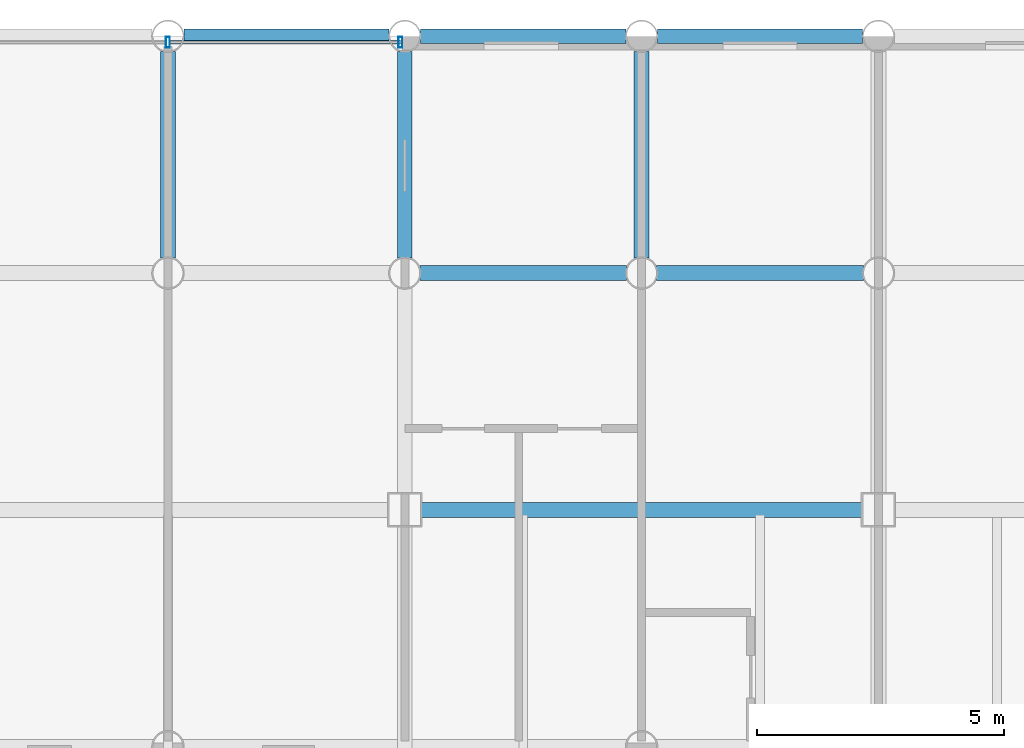
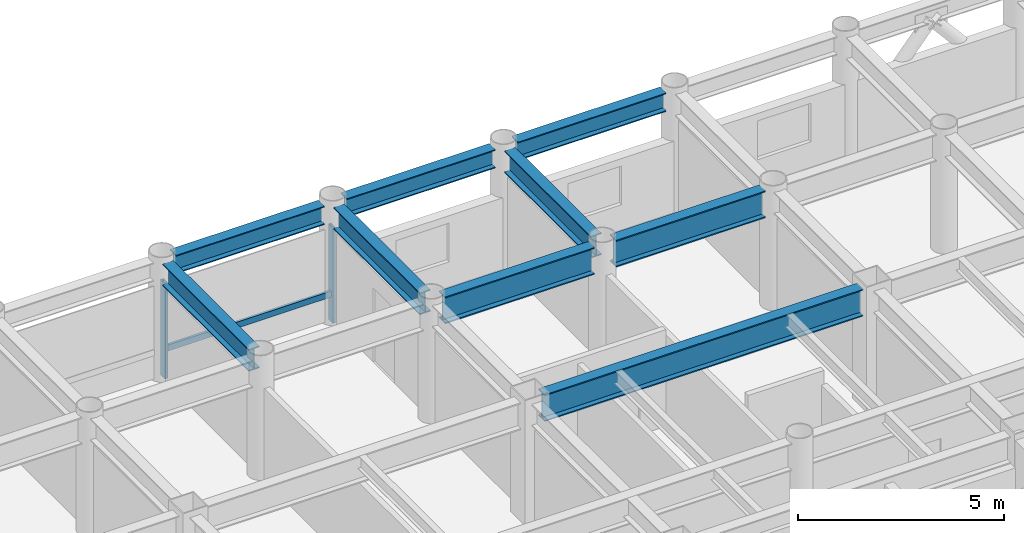
# One storey, part 13 of 20: 9 beams, 3 members, 1 element without a shape of its own.
"""IFC4 building model written with IfcOpenShell, lengths in metres."""

from ifc_helpers import new_model, si_unit, direction, frame, origin, origin_2d, place, context, subcontext, project, spatial, hollow_rectangle, i_section, extrude, material, layer, layer_set, material_profile, profile_set, type_object, element, aggregate, save


model = new_model("IFC4")

# Units and contexts
model_context = context("Model", 3, precision=1e-05, world=origin(), true_north=direction((0.0, 1.0)))
body_context = subcontext(model_context, "Body", "Model", "MODEL_VIEW")
ifc_project = project(units=[si_unit("LENGTHUNIT", "METRE"), si_unit("AREAUNIT", "SQUARE_METRE"), si_unit("VOLUMEUNIT", "CUBIC_METRE"), si_unit("PLANEANGLEUNIT", "RADIAN"), si_unit("MASSUNIT", "GRAM", prefix="KILO")], contexts=[model_context])

# Site, building, storey
site_placement = place(None, origin())
site = spatial("IfcSite", under=ifc_project, at=site_placement, CompositionType="ELEMENT")
building_placement = place(site_placement, origin())
building = spatial("IfcBuilding", under=site, at=building_placement, Name="Kallvorn Hotel Tower", CompositionType="ELEMENT")
storey_placement = place(building_placement, frame((0.0, 0.0, 135.89990234375)))
storey = spatial("IfcBuildingStorey", under=building, at=storey_placement, Name="L33", CompositionType="ELEMENT", Elevation=135.89990234375)

# Beams
ifc_material_1 = material(Name="Structural steel S355JR", Category="steel")
ifc_material_profile_1 = material_profile(ifc_material_1, i_section(OverallWidth=0.300048828125, OverallDepth=0.550048828125, WebThickness=0.014892578125, FlangeThickness=0.029052734375, at=origin_2d()), Name="HE 550 B")
ifc_profile_set_1 = profile_set([ifc_material_profile_1], Name="Structural steel S355JR")
beam_type_1 = type_object("IfcBeamType", Name="BM_HE550B", PredefinedType="SPANDREL", material=ifc_profile_set_1)
for number, where, z_axis, x_axis, name in (
    (1, (0.320068359375, 24.0, 3.2451171875), (1.0, 0.0, 0.0), (0.0, 1.0, 0.0), "L34 Perimeter Spandrel 169"),
    (2, (5.1201171875, 24.0, 3.2451171875), (1.0, 0.0, 0.0), (0.0, 1.0, 0.0), "L34 Perimeter Spandrel 170"),
):
    element("IfcBeam", number, at=place(storey_placement, frame(where, z_axis=z_axis, x_axis=x_axis)), inside=storey, type_object=beam_type_1, Name=name, PredefinedType="SPANDREL", context=body_context, shape_type="SweptSolid", body=[
        extrude(i_section(OverallWidth=0.300048828125, OverallDepth=0.550048828125, WebThickness=0.014892578125, FlangeThickness=0.029052734375, at=origin_2d()), origin(), (0.0, 0.0, 1.0), 4.159912109375),
    ])
beam_1_placement = place(storey_placement, frame((9.919921875, 24.0, 3.2451171875), z_axis=(1.0, 0.0, 0.0), x_axis=(0.0, 1.0, 0.0)))
element("IfcBeam", 3, at=beam_1_placement, inside=storey, type_object=beam_type_1, Name="L34 Perimeter Spandrel 171", PredefinedType="SPANDREL", context=body_context, shape_type="SweptSolid", body=[
    extrude(i_section(OverallWidth=0.300048828125, OverallDepth=0.550048828125, WebThickness=0.014892578125, FlangeThickness=0.029052734375, at=origin_2d()), origin(), (0.0, 0.0, 1.0), 4.16015625),
])
ifc_material_2 = material(Name="Structural steel S355JR", Category="steel")
ifc_material_profile_2 = material_profile(ifc_material_2, i_section(OverallWidth=0.300048828125, OverallDepth=0.64990234375, WebThickness=0.01611328125, FlangeThickness=0.031005859375, at=origin_2d()), Name="HE 650 B")
ifc_profile_set_2 = profile_set([ifc_material_profile_2], Name="Structural steel S355JR")
beam_type_2 = type_object("IfcBeamType", Name="BM_HE650B", PredefinedType="BEAM", material=ifc_profile_set_2)
for number, where, z_axis, x_axis, name in (
    (4, (0.0, 19.5048828125, 3.195068359375), (0.0, 1.0, 0.0), (-1.0, 0.0, 0.0), "L34 Primary Y-Girder 113"),
    (5, (4.800048828125, 19.5048828125, 3.195068359375), (0.0, 1.0, 0.0), (-1.0, 0.0, 0.0), "L34 Primary Y-Girder 118"),
    (6, (9.60009765625, 19.5048828125, 3.195068359375), (0.0, 1.0, 0.0), (-1.0, 0.0, 0.0), "L34 Primary Y-Girder 121"),
):
    element("IfcBeam", number, at=place(storey_placement, frame(where, z_axis=z_axis, x_axis=x_axis)), inside=storey, type_object=beam_type_2, Name=name, PredefinedType="BEAM", context=body_context, shape_type="SweptSolid", body=[
        extrude(i_section(OverallWidth=0.300048828125, OverallDepth=0.64990234375, WebThickness=0.01611328125, FlangeThickness=0.031005859375, at=origin_2d()), origin(), (0.0, 0.0, 1.0), 4.190185546875),
    ])
ifc_material_3 = material(Name="Structural steel S355JR", Category="steel")
ifc_material_profile_3 = material_profile(ifc_material_3, i_section(OverallWidth=0.300048828125, OverallDepth=0.800048828125, WebThickness=0.017578125, FlangeThickness=0.032958984375, at=origin_2d()), Name="HE 800 B")
ifc_profile_set_3 = profile_set([ifc_material_profile_3], Name="Structural steel S355JR")
beam_type_3 = type_object("IfcBeamType", Name="BM_HE800B", PredefinedType="BEAM", material=ifc_profile_set_3)
beam_2_placement = place(storey_placement, frame((5.125, 14.39990234375, 3.1201171875), z_axis=(1.0, 0.0, 0.0), x_axis=(0.0, 1.0, 0.0)))
element("IfcBeam", 7, at=beam_2_placement, inside=storey, type_object=beam_type_3, Name="L34 Primary X-Girder 56", PredefinedType="BEAM", context=body_context, shape_type="SweptSolid", body=[
    extrude(i_section(OverallWidth=0.300048828125, OverallDepth=0.800048828125, WebThickness=0.017578125, FlangeThickness=0.032958984375, at=origin_2d()), origin(), (0.0, 0.0, 1.0), 8.949951171875),
])
for number, where, z_axis, x_axis, name in (
    (8, (5.10498046875, 19.199951171875, 3.1201171875), (1.0, 0.0, 0.0), (0.0, 1.0, 0.0), "L34 Primary X-Girder 68"),
    (9, (9.905029296875, 19.199951171875, 3.1201171875), (1.0, 0.0, 0.0), (0.0, 1.0, 0.0), "L34 Primary X-Girder 69"),
):
    element("IfcBeam", number, at=place(storey_placement, frame(where, z_axis=z_axis, x_axis=x_axis)), inside=storey, type_object=beam_type_3, Name=name, PredefinedType="BEAM", context=body_context, shape_type="SweptSolid", body=[
        extrude(i_section(OverallWidth=0.300048828125, OverallDepth=0.800048828125, WebThickness=0.017578125, FlangeThickness=0.032958984375, at=origin_2d()), origin(), (0.0, 0.0, 1.0), 4.18994140625),
    ])

# Curtain wall, members
ifc_material_4 = material(Name="Thermally broken black-anodised aluminium AA 6063-T6", Category="aluminium")
ifc_layer = layer(ifc_material_4, 0.2099609375)
ifc_layer_set = layer_set([ifc_layer], Name="CW_SYS_4_HOTEL_MID")
curtain_wall_type = type_object("IfcCurtainWallType", Name="CW_SYS_4_HOTEL_MID", PredefinedType="USERDEFINED", material=ifc_layer_set)
curtain_wall_placement = place(storey_placement, origin())
curtain_wall = element("IfcCurtainWall", 10, at=curtain_wall_placement, inside=storey, type_object=curtain_wall_type, Name="L33 Dark-Glass Curtain Wall CW-L33-NC", ObjectType="UNITISED CURTAIN WALL", PredefinedType="USERDEFINED")
ifc_material_5 = material(Name="Thermally broken black-anodised aluminium AA 6063-T6", Category="aluminium")
ifc_material_profile_4 = material_profile(ifc_material_5, hollow_rectangle(XDim=0.080078125, YDim=0.219970703125, WallThickness=0.0048828125, at=origin_2d()), Name="MUL 220x80")
ifc_profile_set_4 = profile_set([ifc_material_profile_4], Name="Thermally broken black-anodised aluminium AA 6063-T6")
member_type_1 = type_object("IfcMemberType", Name="CW_MULLION_220x80", PredefinedType="MULLION", material=ifc_profile_set_4)
member_1_placement = place(storey_placement, frame((0.0, 23.8798828125, 0.02001953125), z_axis=(0.0, 0.0, 1.0), x_axis=(1.0, 0.0, 0.0)))
member_1 = element("IfcMember", 11, at=member_1_placement, type_object=member_type_1, Name="CW-L33-NC Mullion 01", PredefinedType="MULLION", context=body_context, shape_type="SweptSolid", body=[
    extrude(hollow_rectangle(XDim=0.080078125, YDim=0.219970703125, WallThickness=0.0048828125, at=origin_2d()), origin(), (0.0, 0.0, 1.0), 2.830078125),
])
member_2_placement = place(storey_placement, frame((4.7099609375, 23.8798828125, 0.02001953125), z_axis=(0.0, 0.0, 1.0), x_axis=(1.0, 0.0, 0.0)))
member_2 = element("IfcMember", 12, at=member_2_placement, type_object=member_type_1, Name="CW-L33-NC Mullion 02", PredefinedType="MULLION", context=body_context, shape_type="SweptSolid", body=[
    extrude(hollow_rectangle(XDim=0.080078125, YDim=0.219970703125, WallThickness=0.0048828125, at=origin_2d()), origin(), (0.0, 0.0, 1.0), 2.830078125),
])
ifc_material_6 = material(Name="Thermally broken black-anodised aluminium AA 6063-T6", Category="aluminium")
ifc_material_profile_5 = material_profile(ifc_material_6, hollow_rectangle(XDim=0.070068359375, YDim=0.179931640625, WallThickness=0.00390625, at=origin_2d()), Name="TRN 180x70")
ifc_profile_set_5 = profile_set([ifc_material_profile_5], Name="Thermally broken black-anodised aluminium AA 6063-T6")
member_type_2 = type_object("IfcMemberType", Name="CW_TRANSOM_180x70", PredefinedType="USERDEFINED", material=ifc_profile_set_5)
member_3_placement = place(storey_placement, frame((0.0400390625, 23.8798828125, 0.85009765625), z_axis=(1.0, 0.0, 0.0), x_axis=(0.0, 1.0, 0.0)))
member_3 = element("IfcMember", 13, at=member_3_placement, type_object=member_type_2, Name="CW-L33-NC Transom 01M", ObjectType="TRANSOM", PredefinedType="USERDEFINED", context=body_context, shape_type="SweptSolid", body=[
    extrude(hollow_rectangle(XDim=0.070068359375, YDim=0.179931640625, WallThickness=0.00390625, at=origin_2d()), origin(), (0.0, 0.0, 1.0), 4.669921875),
])
aggregate(curtain_wall, [member_1, member_2, member_3])

save(model, "model.ifc")
